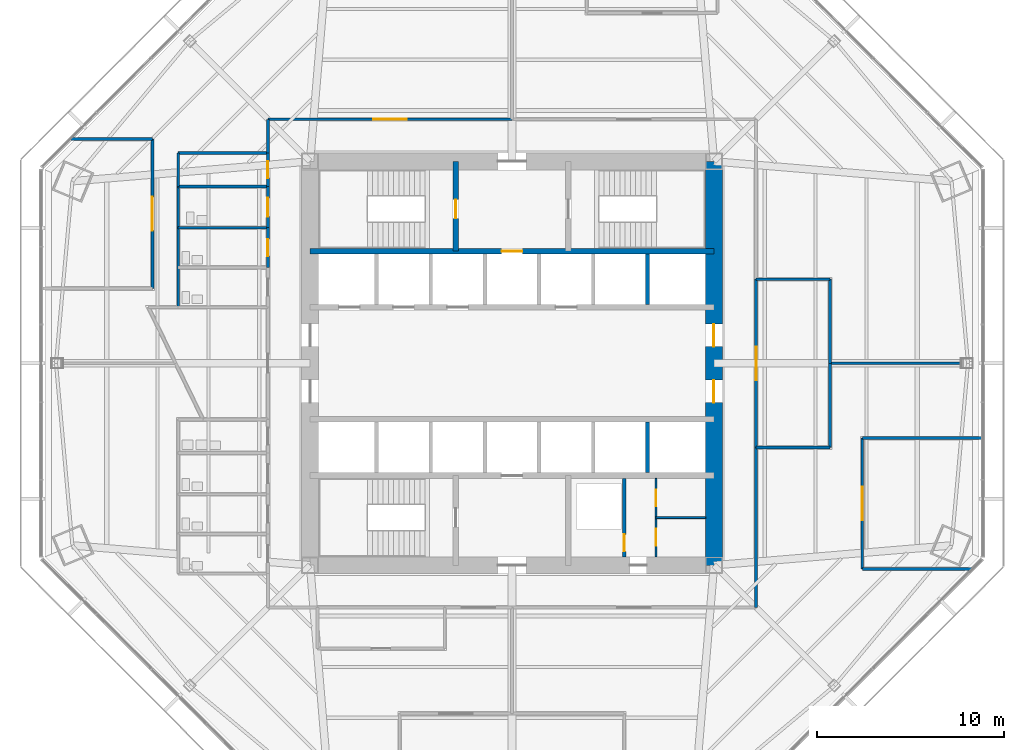
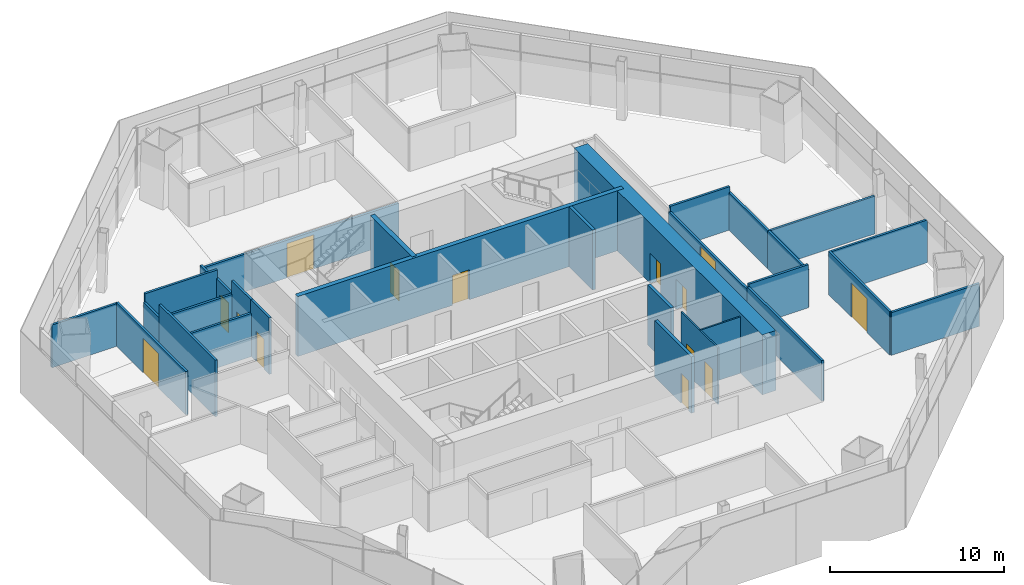
# One storey, part 11 of 16: 30 walls, 14 doors, 14 openings.
"""IFC4 building model written with IfcOpenShell, lengths in metres."""

from ifc_helpers import new_model, si_unit, direction, frame, frame_2d, origin, place, context, subcontext, project, spatial, rectangle, extrude, material, layer, layer_set, type_object, element, fill, save


model = new_model("IFC4")

# Units and contexts
model_context = context("Model", 3, precision=1e-05, world=origin(), true_north=direction((0.0, 1.0)))
body_context = subcontext(model_context, "Body", "Model", "MODEL_VIEW")
ifc_project = project(units=[si_unit("LENGTHUNIT", "METRE"), si_unit("AREAUNIT", "SQUARE_METRE"), si_unit("VOLUMEUNIT", "CUBIC_METRE"), si_unit("PLANEANGLEUNIT", "RADIAN"), si_unit("MASSUNIT", "GRAM", prefix="KILO")], contexts=[model_context])

# Site, building, storey
site_placement = place(None, origin())
site = spatial("IfcSite", under=ifc_project, at=site_placement, CompositionType="ELEMENT")
building_placement = place(site_placement, origin())
building = spatial("IfcBuilding", under=site, at=building_placement, Name="Mashrafa Tower", CompositionType="ELEMENT")
storey_placement = place(building_placement, frame((0.0, 0.0, 100.199951171875)))
storey = spatial("IfcBuildingStorey", under=building, at=storey_placement, Name="L22", CompositionType="ELEMENT", Elevation=100.199951171875)

# Wall, opening, door
ifc_material_1 = material(Name="Concrete masonry unit", Category="masonry")
ifc_layer_1 = layer(ifc_material_1, 0.199951171875)
ifc_layer_set_1 = layer_set([ifc_layer_1], Name="Blockwork wall 200 2 hr")
wall_type_1 = type_object("IfcWallType", Name="Blockwork wall 200 2 hr", PredefinedType="PARTITIONING", material=ifc_layer_set_1)
wall_1_placement = place(storey_placement, frame((6.0, -10.35009765625, 0.0), z_axis=(0.0, 0.0, 1.0), x_axis=(0.0, 1.0, 0.0)))
wall_1 = element("IfcWall", 1, at=wall_1_placement, inside=storey, type_object=wall_type_1, Name="Riser enclosure wall L22", PredefinedType="PARTITIONING", context=body_context, shape_type="SweptSolid", body=[
    extrude(rectangle(XDim=4.2001953125, YDim=0.199951171875, at=frame_2d((2.10009765625, 0.0))), origin(), (0.0, 0.0, 1.0), 3.949951171875),
])
opening_1_placement = place(wall_1_placement, frame((0.300048828125, 0.0, 0.0)))
opening_1 = element("IfcOpeningElement", 2, at=opening_1_placement, cuts=wall_1, Name="Opening 22.033", PredefinedType="OPENING", context=body_context, shape_type="SweptSolid", body=[
    extrude(rectangle(XDim=0.89990234375, YDim=2.10009765625, at=frame_2d((0.449951171875, 1.050048828125))), frame((0.0, 0.10986328125, 0.0), z_axis=(0.0, -1.0, 0.0), x_axis=(1.0, 0.0, 0.0)), (0.0, 0.0, 1.0), 0.219970703125),
])
ifc_material_2 = material(Name="Steel door", Category="steel")
door_type_1 = type_object("IfcDoorType", Name="Service door 900 x 2100 90 min", OperationType="USERDEFINED", PredefinedType="DOOR", material=ifc_material_2)
door_1_placement = place(opening_1_placement, origin())
door_1 = element("IfcDoor", 3, at=door_1_placement, inside=storey, type_object=door_type_1, Name="Riser door L22", OperationType="SINGLE_SWING_LEFT", OverallHeight=2.10009765625, OverallWidth=0.89990234375, PredefinedType="DOOR", context=body_context, shape_type="SweptSolid", body=[
    extrude(rectangle(XDim=0.89990234375, YDim=2.10009765625, at=frame_2d((0.449951171875, 1.050048828125))), frame((0.0, 0.02490234375, 0.0), z_axis=(0.0, -1.0, 0.0), x_axis=(1.0, 0.0, 0.0)), (0.0, 0.0, 1.0), 0.050048828125),
])
fill(opening_1, door_1)

ifc_material_3 = material(Name="Concrete C60/75", Category="concrete")
ifc_layer_2 = layer(ifc_material_3, 0.300048828125)
ifc_layer_set_2 = layer_set([ifc_layer_2], Name="Core wall 300 C60/75")
wall_type_2 = type_object("IfcWallType", Name="Core wall 300 C60/75", PredefinedType="SOLIDWALL", material=ifc_layer_set_2)
wall_2_placement = place(storey_placement, frame((-10.800048828125, 6.0, 0.0), z_axis=(0.0, 0.0, 1.0), x_axis=(1.0, 0.0, 0.0)))
wall_2 = element("IfcWall", 4, at=wall_2_placement, inside=storey, type_object=wall_type_2, Name="Core wall CB-N L22", PredefinedType="SOLIDWALL", context=body_context, shape_type="SweptSolid", body=[
    extrude(rectangle(XDim=21.60009765625, YDim=0.300048828125, at=frame_2d((10.800048828125, 0.0))), origin(), (0.0, 0.0, 1.0), 4.199951171875),
])
opening_2_placement = place(wall_2_placement, frame((10.25, 0.0, 0.0)))
opening_2 = element("IfcOpeningElement", 5, at=opening_2_placement, cuts=wall_2, Name="Opening 22.F1", PredefinedType="OPENING", context=body_context, shape_type="SweptSolid", body=[
    extrude(rectangle(XDim=1.10009765625, YDim=2.10009765625, at=frame_2d((0.550048828125, 1.050048828125))), frame((0.0, 0.159912109375, 0.0), z_axis=(0.0, -1.0, 0.0), x_axis=(1.0, 0.0, 0.0)), (0.0, 0.0, 1.0), 0.320068359375),
])
ifc_material_4 = material(Name="Steel door", Category="steel")
door_type_2 = type_object("IfcDoorType", Name="Lift landing door 1100 x 2100 90 min", OperationType="DOUBLE_DOOR_SLIDING", PredefinedType="DOOR", material=ifc_material_4)
door_2_placement = place(opening_2_placement, origin())
door_2 = element("IfcDoor", 6, at=door_2_placement, inside=storey, type_object=door_type_2, Name="Lift landing door F1 L22", OperationType="DOUBLE_DOOR_SLIDING", OverallHeight=2.10009765625, OverallWidth=1.10009765625, PredefinedType="DOOR", context=body_context, shape_type="SweptSolid", body=[
    extrude(rectangle(XDim=1.10009765625, YDim=2.10009765625, at=frame_2d((0.550048828125, 1.050048828125))), frame((0.0, 0.02490234375, 0.0), z_axis=(0.0, -1.0, 0.0), x_axis=(1.0, 0.0, 0.0)), (0.0, 0.0, 1.0), 0.050048828125),
])
fill(opening_2, door_2)

wall_3_placement = place(storey_placement, frame((-3.0, 6.0, 0.0), z_axis=(0.0, 0.0, 1.0), x_axis=(0.0, 1.0, 0.0)))
wall_3 = element("IfcWall", 7, at=wall_3_placement, inside=storey, type_object=wall_type_2, Name="Core wall CX-NW L22", PredefinedType="SOLIDWALL", context=body_context, shape_type="SweptSolid", body=[
    extrude(rectangle(XDim=4.800048828125, YDim=0.300048828125, at=frame_2d((2.39990234375, 0.0))), origin(), (0.0, 0.0, 1.0), 4.199951171875),
])
opening_3_placement = place(wall_3_placement, frame((1.75, 0.0, 0.0)))
opening_3 = element("IfcOpeningElement", 8, at=opening_3_placement, cuts=wall_3, Name="Opening 22.029", PredefinedType="OPENING", context=body_context, shape_type="SweptSolid", body=[
    extrude(rectangle(XDim=1.0, YDim=2.10009765625, at=frame_2d((0.5, 1.050048828125))), frame((0.0, 0.159912109375, 0.0), z_axis=(0.0, -1.0, 0.0), x_axis=(1.0, 0.0, 0.0)), (0.0, 0.0, 1.0), 0.320068359375),
])
ifc_material_5 = material(Name="Steel door", Category="steel")
door_type_3 = type_object("IfcDoorType", Name="Stair door 1000 x 2100 90 min", OperationType="USERDEFINED", PredefinedType="DOOR", material=ifc_material_5)
door_3_placement = place(opening_3_placement, origin())
door_3 = element("IfcDoor", 9, at=door_3_placement, inside=storey, type_object=door_type_3, Name="Stair S1 door L22", OperationType="SINGLE_SWING_LEFT", OverallHeight=2.10009765625, OverallWidth=1.0, PredefinedType="DOOR", context=body_context, shape_type="SweptSolid", body=[
    extrude(rectangle(XDim=1.0, YDim=2.10009765625, at=frame_2d((0.5, 1.050048828125))), frame((0.0, 0.02490234375, 0.0), z_axis=(0.0, -1.0, 0.0), x_axis=(1.0, 0.0, 0.0)), (0.0, 0.0, 1.0), 0.050048828125),
])
fill(opening_3, door_3)

# Wall, openings, doors
ifc_material_6 = material(Name="Concrete C60/75", Category="concrete")
ifc_layer_3 = layer(ifc_material_6, 0.89990234375)
ifc_layer_set_3 = layer_set([ifc_layer_3], Name="Core wall 900 C60/75")
wall_type_3 = type_object("IfcWallType", Name="Core wall 900 C60/75", PredefinedType="SOLIDWALL", material=ifc_layer_set_3)
wall_4_placement = place(storey_placement, frame((10.800048828125, -10.800048828125, 0.0), z_axis=(0.0, 0.0, 1.0), x_axis=(0.0, 1.0, 0.0)))
wall_4 = element("IfcWall", 10, at=wall_4_placement, inside=storey, type_object=wall_type_3, Name="Core wall CW-E L22", PredefinedType="SOLIDWALL", context=body_context, shape_type="SweptSolid", body=[
    extrude(rectangle(XDim=21.60009765625, YDim=0.89990234375, at=frame_2d((10.800048828125, 0.0))), origin(), (0.0, 0.0, 1.0), 4.199951171875),
])
opening_4_placement = place(wall_4_placement, frame((11.699951171875, 0.0, 0.0)))
opening_4 = element("IfcOpeningElement", 11, at=opening_4_placement, cuts=wall_4, Name="Opening 22.023", PredefinedType="OPENING", context=body_context, shape_type="SweptSolid", body=[
    extrude(rectangle(XDim=1.199951171875, YDim=2.10009765625, at=frame_2d((0.60009765625, 1.050048828125))), frame((0.0, 0.4599609375, 0.0), z_axis=(0.0, -1.0, 0.0), x_axis=(1.0, 0.0, 0.0)), (0.0, 0.0, 1.0), 0.919921875),
])
opening_5_placement = place(wall_4_placement, frame((8.699951171875, 0.0, 0.0)))
opening_5 = element("IfcOpeningElement", 12, at=opening_5_placement, cuts=wall_4, Name="Opening 22.025", PredefinedType="OPENING", context=body_context, shape_type="SweptSolid", body=[
    extrude(rectangle(XDim=1.199951171875, YDim=2.10009765625, at=frame_2d((0.60009765625, 1.050048828125))), frame((0.0, 0.4599609375, 0.0), z_axis=(0.0, -1.0, 0.0), x_axis=(1.0, 0.0, 0.0)), (0.0, 0.0, 1.0), 0.919921875),
])
ifc_material_7 = material(Name="Steel door", Category="steel")
door_type_4 = type_object("IfcDoorType", Name="Lift hall door 1200 x 2100 90 min", OperationType="USERDEFINED", PredefinedType="DOOR", material=ifc_material_7)
door_4_placement = place(opening_4_placement, frame((1.199951171875, 0.0, 0.0), z_axis=(0.0, 0.0, 1.0), x_axis=(-1.0, 0.0, 0.0)))
door_4 = element("IfcDoor", 13, at=door_4_placement, inside=storey, type_object=door_type_4, Name="Lift hall door east L22", OperationType="SINGLE_SWING_LEFT", OverallHeight=2.10009765625, OverallWidth=1.199951171875, PredefinedType="DOOR", context=body_context, shape_type="SweptSolid", body=[
    extrude(rectangle(XDim=1.199951171875, YDim=2.10009765625, at=frame_2d((0.60009765625, 1.050048828125))), frame((0.0, 0.02490234375, 0.0), z_axis=(0.0, -1.0, 0.0), x_axis=(1.0, 0.0, 0.0)), (0.0, 0.0, 1.0), 0.050048828125),
])
fill(opening_4, door_4)
door_5_placement = place(opening_5_placement, frame((1.199951171875, 0.0, 0.0), z_axis=(0.0, 0.0, 1.0), x_axis=(-1.0, 0.0, 0.0)))
door_5 = element("IfcDoor", 14, at=door_5_placement, inside=storey, type_object=door_type_4, Name="Lift hall door east L22", OperationType="SINGLE_SWING_RIGHT", OverallHeight=2.10009765625, OverallWidth=1.199951171875, PredefinedType="DOOR", context=body_context, shape_type="SweptSolid", body=[
    extrude(rectangle(XDim=1.199951171875, YDim=2.10009765625, at=frame_2d((0.60009765625, 1.050048828125))), frame((0.0, 0.02490234375, 0.0), z_axis=(0.0, -1.0, 0.0), x_axis=(1.0, 0.0, 0.0)), (0.0, 0.0, 1.0), 0.050048828125),
])
fill(opening_5, door_5)

# Wall, opening, door
ifc_material_8 = material(Name="Gypsum board on steel studs", Category="steel")
ifc_layer_4 = layer(ifc_material_8, 0.14990234375)
ifc_layer_set_4 = layer_set([ifc_layer_4], Name="Corridor partition 150 1 hr")
wall_type_4 = type_object("IfcWallType", Name="Corridor partition 150 1 hr", PredefinedType="PARTITIONING", material=ifc_layer_set_4)
wall_5_placement = place(storey_placement, frame((-13.050048828125, 7.2509765625, 0.0), z_axis=(0.0, 0.0, 1.0), x_axis=(0.0, -1.0, 0.0)))
wall_5 = element("IfcWall", 15, at=wall_5_placement, inside=storey, type_object=wall_type_4, Name="Corridor wall L22-002", PredefinedType="PARTITIONING", context=body_context, shape_type="SweptSolid", body=[
    extrude(rectangle(XDim=2.126953125, YDim=0.14990234375, at=frame_2d((1.0634765625, 0.0))), origin(), (0.0, 0.0, 1.0), 3.949951171875),
])
opening_6_placement = place(wall_5_placement, frame((0.613525390625, 0.0, 0.0)))
opening_6 = element("IfcOpeningElement", 16, at=opening_6_placement, cuts=wall_5, Name="Opening 22.002", PredefinedType="OPENING", context=body_context, shape_type="SweptSolid", body=[
    extrude(rectangle(XDim=0.89990234375, YDim=2.10009765625, at=frame_2d((0.449951171875, 1.050048828125))), frame((0.0, 0.0849609375, 0.0), z_axis=(0.0, -1.0, 0.0), x_axis=(1.0, 0.0, 0.0)), (0.0, 0.0, 1.0), 0.169921875),
])
ifc_material_9 = material(Name="Timber door", Category="wood")
door_type_5 = type_object("IfcDoorType", Name="Toilet door 900 x 2100", OperationType="USERDEFINED", PredefinedType="DOOR", material=ifc_material_9)
door_6_placement = place(opening_6_placement, frame((0.89990234375, 0.0, 0.0), z_axis=(0.0, 0.0, 1.0), x_axis=(-1.0, 0.0, 0.0)))
door_6 = element("IfcDoor", 17, at=door_6_placement, inside=storey, type_object=door_type_5, Name="WC Male L22 N door", OperationType="SINGLE_SWING_LEFT", OverallHeight=2.10009765625, OverallWidth=0.89990234375, PredefinedType="DOOR", context=body_context, shape_type="SweptSolid", body=[
    extrude(rectangle(XDim=0.89990234375, YDim=2.10009765625, at=frame_2d((0.449951171875, 1.050048828125))), frame((0.0, 0.02490234375, 0.0), z_axis=(0.0, -1.0, 0.0), x_axis=(1.0, 0.0, 0.0)), (0.0, 0.0, 1.0), 0.050048828125),
])
fill(opening_6, door_6)

wall_6_placement = place(storey_placement, frame((-13.050048828125, 9.450927734375, 0.0), z_axis=(0.0, 0.0, 1.0), x_axis=(0.0, -1.0, 0.0)))
wall_6 = element("IfcWall", 18, at=wall_6_placement, inside=storey, type_object=wall_type_4, Name="Corridor wall L22-003", PredefinedType="PARTITIONING", context=body_context, shape_type="SweptSolid", body=[
    extrude(rectangle(XDim=2.201904296875, YDim=0.14990234375, at=frame_2d((1.10107421875, 0.0))), origin(), (0.0, 0.0, 1.0), 3.949951171875),
])
opening_7_placement = place(wall_6_placement, frame((0.60107421875, 0.0, 0.0)))
opening_7 = element("IfcOpeningElement", 19, at=opening_7_placement, cuts=wall_6, Name="Opening 22.003", PredefinedType="OPENING", context=body_context, shape_type="SweptSolid", body=[
    extrude(rectangle(XDim=1.0, YDim=2.10009765625, at=frame_2d((0.5, 1.050048828125))), frame((0.0, 0.0849609375, 0.0), z_axis=(0.0, -1.0, 0.0), x_axis=(1.0, 0.0, 0.0)), (0.0, 0.0, 1.0), 0.169921875),
])
ifc_material_10 = material(Name="Timber door", Category="wood")
door_type_6 = type_object("IfcDoorType", Name="Accessible toilet door 1000 x 2100", OperationType="USERDEFINED", PredefinedType="DOOR", material=ifc_material_10)
door_7_placement = place(opening_7_placement, frame((1.0, 0.0, 0.0), z_axis=(0.0, 0.0, 1.0), x_axis=(-1.0, 0.0, 0.0)))
door_7 = element("IfcDoor", 20, at=door_7_placement, inside=storey, type_object=door_type_6, Name="Accessible WC L22 N door", OperationType="SINGLE_SWING_RIGHT", OverallHeight=2.10009765625, OverallWidth=1.0, PredefinedType="DOOR", context=body_context, shape_type="SweptSolid", body=[
    extrude(rectangle(XDim=1.0, YDim=2.10009765625, at=frame_2d((0.5, 1.050048828125))), frame((0.0, 0.02490234375, 0.0), z_axis=(0.0, -1.0, 0.0), x_axis=(1.0, 0.0, 0.0)), (0.0, 0.0, 1.0), 0.050048828125),
])
fill(opening_7, door_7)

wall_7_placement = place(storey_placement, frame((-13.050048828125, 11.2509765625, 0.0), z_axis=(0.0, 0.0, 1.0), x_axis=(0.0, -1.0, 0.0)))
wall_7 = element("IfcWall", 21, at=wall_7_placement, inside=storey, type_object=wall_type_4, Name="Corridor wall L22-004", PredefinedType="PARTITIONING", context=body_context, shape_type="SweptSolid", body=[
    extrude(rectangle(XDim=1.802001953125, YDim=0.14990234375, at=frame_2d((0.90087890625, 0.0))), origin(), (0.0, 0.0, 1.0), 3.0400390625),
])
opening_8_placement = place(wall_7_placement, frame((0.450927734375, 0.0, 0.0)))
opening_8 = element("IfcOpeningElement", 22, at=opening_8_placement, cuts=wall_7, Name="Opening 22.004", PredefinedType="OPENING", context=body_context, shape_type="SweptSolid", body=[
    extrude(rectangle(XDim=0.89990234375, YDim=2.10009765625, at=frame_2d((0.449951171875, 1.050048828125))), frame((0.0, 0.0849609375, 0.0), z_axis=(0.0, -1.0, 0.0), x_axis=(1.0, 0.0, 0.0)), (0.0, 0.0, 1.0), 0.169921875),
])
ifc_material_11 = material(Name="Timber door", Category="wood")
door_type_7 = type_object("IfcDoorType", Name="Store door 900 x 2100", OperationType="USERDEFINED", PredefinedType="DOOR", material=ifc_material_11)
door_8_placement = place(opening_8_placement, frame((0.89990234375, 0.0, 0.0), z_axis=(0.0, 0.0, 1.0), x_axis=(-1.0, 0.0, 0.0)))
door_8 = element("IfcDoor", 23, at=door_8_placement, inside=storey, type_object=door_type_7, Name="Cleaner's Store L22 N door", OperationType="SINGLE_SWING_LEFT", OverallHeight=2.10009765625, OverallWidth=0.89990234375, PredefinedType="DOOR", context=body_context, shape_type="SweptSolid", body=[
    extrude(rectangle(XDim=0.89990234375, YDim=2.10009765625, at=frame_2d((0.449951171875, 1.050048828125))), frame((0.0, 0.02490234375, 0.0), z_axis=(0.0, -1.0, 0.0), x_axis=(1.0, 0.0, 0.0)), (0.0, 0.0, 1.0), 0.050048828125),
])
fill(opening_8, door_8)

wall_8_placement = place(storey_placement, frame((13.050048828125, -4.5009765625, 0.0), z_axis=(0.0, 0.0, 1.0), x_axis=(0.0, 1.0, 0.0)))
wall_8 = element("IfcWall", 24, at=wall_8_placement, inside=storey, type_object=wall_type_4, Name="Corridor wall L22-010", PredefinedType="PARTITIONING", context=body_context, shape_type="SweptSolid", body=[
    extrude(rectangle(XDim=9.001953125, YDim=0.14990234375, at=frame_2d((4.5009765625, 0.0))), origin(), (0.0, 0.0, 1.0), 2.64013671875),
])
opening_9_placement = place(wall_8_placement, frame((3.60107421875, 0.0, 0.0)))
opening_9 = element("IfcOpeningElement", 25, at=opening_9_placement, cuts=wall_8, Name="Opening 22.010", PredefinedType="OPENING", context=body_context, shape_type="SweptSolid", body=[
    extrude(rectangle(XDim=1.800048828125, YDim=2.39990234375, at=frame_2d((0.89990234375, 1.199951171875))), frame((0.0, 0.0849609375, 0.0), z_axis=(0.0, -1.0, 0.0), x_axis=(1.0, 0.0, 0.0)), (0.0, 0.0, 1.0), 0.169921875),
])
ifc_material_12 = material(Name="Steel door", Category="steel")
door_type_8 = type_object("IfcDoorType", Name="Door pair 1800 x 2400 90 min", OperationType="DOUBLE_DOOR_SINGLE_SWING", PredefinedType="DOOR", material=ifc_material_12)
door_9_placement = place(opening_9_placement, origin())
door_9 = element("IfcDoor", 26, at=door_9_placement, inside=storey, type_object=door_type_8, Name="Executive Reception 22 door", OperationType="DOUBLE_DOOR_SINGLE_SWING", OverallHeight=2.39990234375, OverallWidth=1.800048828125, PredefinedType="DOOR", context=body_context, shape_type="SweptSolid", body=[
    extrude(rectangle(XDim=1.800048828125, YDim=2.39990234375, at=frame_2d((0.89990234375, 1.199951171875))), frame((0.0, 0.02490234375, 0.0), z_axis=(0.0, -1.0, 0.0), x_axis=(1.0, 0.0, 0.0)), (0.0, 0.0, 1.0), 0.050048828125),
])
fill(opening_9, door_9)

wall_9_placement = place(storey_placement, frame((0.0009765625, 13.050048828125, 0.0), z_axis=(0.0, 0.0, 1.0), x_axis=(-1.0, 0.0, 0.0)))
wall_9 = element("IfcWall", 27, at=wall_9_placement, inside=storey, type_object=wall_type_4, Name="Corridor wall L22-014", PredefinedType="PARTITIONING", context=body_context, shape_type="SweptSolid", body=[
    extrude(rectangle(XDim=13.051025390625, YDim=0.14990234375, at=frame_2d((6.525390625, 0.0))), origin(), (0.0, 0.0, 1.0), 2.64013671875),
])
opening_10_placement = place(wall_9_placement, frame((5.62548828125, 0.0, 0.0)))
opening_10 = element("IfcOpeningElement", 28, at=opening_10_placement, cuts=wall_9, Name="Opening 22.020", PredefinedType="OPENING", context=body_context, shape_type="SweptSolid", body=[
    extrude(rectangle(XDim=1.800048828125, YDim=2.39990234375, at=frame_2d((0.89990234375, 1.199951171875))), frame((0.0, 0.0849609375, 0.0), z_axis=(0.0, -1.0, 0.0), x_axis=(1.0, 0.0, 0.0)), (0.0, 0.0, 1.0), 0.169921875),
])
ifc_material_13 = material(Name="Timber door", Category="wood")
door_type_9 = type_object("IfcDoorType", Name="Door pair 1800 x 2400", OperationType="DOUBLE_DOOR_SINGLE_SWING", PredefinedType="DOOR", material=ifc_material_13)
door_10_placement = place(opening_10_placement, frame((1.800048828125, 0.0, 0.0), z_axis=(0.0, 0.0, 1.0), x_axis=(-1.0, 0.0, 0.0)))
door_10 = element("IfcDoor", 29, at=door_10_placement, inside=storey, type_object=door_type_9, Name="Strategy and Planning Office 22-NW door", OperationType="DOUBLE_DOOR_SINGLE_SWING", OverallHeight=2.39990234375, OverallWidth=1.800048828125, PredefinedType="DOOR", context=body_context, shape_type="SweptSolid", body=[
    extrude(rectangle(XDim=1.800048828125, YDim=2.39990234375, at=frame_2d((0.89990234375, 1.199951171875))), frame((0.0, 0.02490234375, 0.0), z_axis=(0.0, -1.0, 0.0), x_axis=(1.0, 0.0, 0.0)), (0.0, 0.0, 1.0), 0.050048828125),
])
fill(opening_10, door_10)

# Walls
wall_10_placement = place(storey_placement, frame((-13.050048828125, 13.050048828125, 0.0), z_axis=(0.0, 0.0, 1.0), x_axis=(0.0, -1.0, 0.0)))
element("IfcWall", 30, at=wall_10_placement, inside=storey, type_object=wall_type_4, Name="Corridor wall L22-015", PredefinedType="PARTITIONING", context=body_context, shape_type="SweptSolid", body=[
    extrude(rectangle(XDim=1.801025390625, YDim=0.14990234375, at=frame_2d((0.900390625, 0.0))), origin(), (0.0, 0.0, 1.0), 2.840087890625),
])
wall_11_placement = place(storey_placement, frame((13.050048828125, -13.050048828125, 0.0), z_axis=(0.0, 0.0, 1.0), x_axis=(0.0, 1.0, 0.0)))
element("IfcWall", 31, at=wall_11_placement, inside=storey, type_object=wall_type_4, Name="Corridor wall L22-020", PredefinedType="PARTITIONING", context=body_context, shape_type="SweptSolid", body=[
    extrude(rectangle(XDim=8.551025390625, YDim=0.14990234375, at=frame_2d((4.275390625, 0.0))), origin(), (0.0, 0.0, 1.0), 2.840087890625),
])
wall_12_placement = place(storey_placement, frame((17.0, -0.0009765625, 0.0), z_axis=(0.0, 0.0, 1.0), x_axis=(0.0, 1.0, 0.0)))
element("IfcWall", 32, at=wall_12_placement, inside=storey, type_object=wall_type_4, Name="Corridor wall L22-043", PredefinedType="PARTITIONING", context=body_context, shape_type="SweptSolid", body=[
    extrude(rectangle(XDim=4.5009765625, YDim=0.14990234375, at=frame_2d((2.25048828125, 0.0))), origin(), (0.0, 0.0, 1.0), 2.64013671875),
])
for number, where, z_axis, x_axis, name in (
    (33, (17.0, 4.5, 0.0), (0.0, 0.0, 1.0), (-1.0, 0.0, 0.0), "Corridor wall L22-044"),
    (34, (13.050048828125, -4.5, 0.0), (0.0, 0.0, 1.0), (1.0, 0.0, 0.0), "Corridor wall L22-045"),
):
    element("IfcWall", number, at=place(storey_placement, frame(where, z_axis=z_axis, x_axis=x_axis)), inside=storey, type_object=wall_type_4, Name=name, PredefinedType="PARTITIONING", context=body_context, shape_type="SweptSolid", body=[
        extrude(rectangle(XDim=3.949951171875, YDim=0.14990234375, at=frame_2d((1.97509765625, 0.0))), origin(), (0.0, 0.0, 1.0), 3.028076171875),
    ])
wall_13_placement = place(storey_placement, frame((17.0, -4.5, 0.0), z_axis=(0.0, 0.0, 1.0), x_axis=(0.0, 1.0, 0.0)))
element("IfcWall", 35, at=wall_13_placement, inside=storey, type_object=wall_type_4, Name="Corridor wall L22-046", PredefinedType="PARTITIONING", context=body_context, shape_type="SweptSolid", body=[
    extrude(rectangle(XDim=4.5009765625, YDim=0.14990234375, at=frame_2d((2.25048828125, 0.0))), origin(), (0.0, 0.0, 1.0), 2.64013671875),
])

# Wall, openings, doors
ifc_material_14 = material(Name="Gypsum board on steel studs", Category="steel")
ifc_layer_5 = layer(ifc_material_14, 0.10009765625)
ifc_layer_set_5 = layer_set([ifc_layer_5], Name="Partition 100 1 hr")
wall_type_5 = type_object("IfcWallType", Name="Partition 100 1 hr", PredefinedType="PARTITIONING", material=ifc_layer_set_5)
wall_14_placement = place(storey_placement, frame((7.699951171875, -10.35009765625, 0.0), z_axis=(0.0, 0.0, 1.0), x_axis=(0.0, 1.0, 0.0)))
wall_14 = element("IfcWall", 36, at=wall_14_placement, inside=storey, type_object=wall_type_5, Name="Services lobby partition A L22", PredefinedType="PARTITIONING", context=body_context, shape_type="SweptSolid", body=[
    extrude(rectangle(XDim=4.2001953125, YDim=0.10009765625, at=frame_2d((2.10009765625, 0.0))), origin(), (0.0, 0.0, 1.0), 3.949951171875),
])
opening_11_placement = place(wall_14_placement, frame((2.699951171875, 0.0, 0.0)))
opening_11 = element("IfcOpeningElement", 37, at=opening_11_placement, cuts=wall_14, Name="Opening 22.034", PredefinedType="OPENING", context=body_context, shape_type="SweptSolid", body=[
    extrude(rectangle(XDim=0.89990234375, YDim=2.10009765625, at=frame_2d((0.449951171875, 1.050048828125))), frame((0.0, 0.06005859375, 0.0), z_axis=(0.0, -1.0, 0.0), x_axis=(1.0, 0.0, 0.0)), (0.0, 0.0, 1.0), 0.1201171875),
])
opening_12_placement = place(wall_14_placement, frame((0.60009765625, 0.0, 0.0)))
opening_12 = element("IfcOpeningElement", 38, at=opening_12_placement, cuts=wall_14, Name="Opening 22.035", PredefinedType="OPENING", context=body_context, shape_type="SweptSolid", body=[
    extrude(rectangle(XDim=0.89990234375, YDim=2.10009765625, at=frame_2d((0.449951171875, 1.050048828125))), frame((0.0, 0.06005859375, 0.0), z_axis=(0.0, -1.0, 0.0), x_axis=(1.0, 0.0, 0.0)), (0.0, 0.0, 1.0), 0.1201171875),
])
door_11_placement = place(opening_11_placement, frame((0.89990234375, 0.0, 0.0), z_axis=(0.0, 0.0, 1.0), x_axis=(-1.0, 0.0, 0.0)))
door_11 = element("IfcDoor", 39, at=door_11_placement, inside=storey, type_object=door_type_7, Name="Communications Room L22 door", OperationType="SINGLE_SWING_RIGHT", OverallHeight=2.10009765625, OverallWidth=0.89990234375, PredefinedType="DOOR", context=body_context, shape_type="SweptSolid", body=[
    extrude(rectangle(XDim=0.89990234375, YDim=2.10009765625, at=frame_2d((0.449951171875, 1.050048828125))), frame((0.0, 0.02490234375, 0.0), z_axis=(0.0, -1.0, 0.0), x_axis=(1.0, 0.0, 0.0)), (0.0, 0.0, 1.0), 0.050048828125),
])
fill(opening_11, door_11)
door_12_placement = place(opening_12_placement, frame((0.89990234375, 0.0, 0.0), z_axis=(0.0, 0.0, 1.0), x_axis=(-1.0, 0.0, 0.0)))
door_12 = element("IfcDoor", 40, at=door_12_placement, inside=storey, type_object=door_type_7, Name="Cleaner's Store L22 door", OperationType="SINGLE_SWING_LEFT", OverallHeight=2.10009765625, OverallWidth=0.89990234375, PredefinedType="DOOR", context=body_context, shape_type="SweptSolid", body=[
    extrude(rectangle(XDim=0.89990234375, YDim=2.10009765625, at=frame_2d((0.449951171875, 1.050048828125))), frame((0.0, 0.02490234375, 0.0), z_axis=(0.0, -1.0, 0.0), x_axis=(1.0, 0.0, 0.0)), (0.0, 0.0, 1.0), 0.050048828125),
])
fill(opening_12, door_12)

# Walls
wall_15_placement = place(storey_placement, frame((7.699951171875, -8.25, 0.0), z_axis=(0.0, 0.0, 1.0), x_axis=(1.0, 0.0, 0.0)))
element("IfcWall", 41, at=wall_15_placement, inside=storey, type_object=wall_type_5, Name="Services lobby partition B L22", PredefinedType="PARTITIONING", context=body_context, shape_type="SweptSolid", body=[
    extrude(rectangle(XDim=2.650146484375, YDim=0.10009765625, at=frame_2d((1.3251953125, 0.0))), origin(), (0.0, 0.0, 1.0), 3.949951171875),
])
ifc_material_15 = material(Name="Gypsum board on steel studs", Category="steel")
ifc_layer_6 = layer(ifc_material_15, 0.14990234375)
ifc_layer_set_6 = layer_set([ifc_layer_6], Name="Partition 150")
wall_type_6 = type_object("IfcWallType", Name="Partition 150", PredefinedType="PARTITIONING", material=ifc_layer_set_6)
wall_16_placement = place(storey_placement, frame((-17.85009765625, 3.0, 0.0), z_axis=(0.0, 0.0, 1.0), x_axis=(0.0, 1.0, 0.0)))
element("IfcWall", 42, at=wall_16_placement, inside=storey, type_object=wall_type_6, Name="Partition wall L22-023", PredefinedType="PARTITIONING", context=body_context, shape_type="SweptSolid", body=[
    extrude(rectangle(XDim=6.449951171875, YDim=0.14990234375, at=frame_2d((3.22509765625, 0.0))), origin(), (0.0, 0.0, 1.0), 3.949951171875),
])
for number, where, z_axis, x_axis, name in (
    (43, (-13.050048828125, 7.25, 0.0), (0.0, 0.0, 1.0), (-1.0, 0.0, 0.0), "Partition wall L22-024"),
    (44, (-13.050048828125, 9.449951171875, 0.0), (0.0, 0.0, 1.0), (-1.0, 0.0, 0.0), "Partition wall L22-026"),
):
    element("IfcWall", number, at=place(storey_placement, frame(where, z_axis=z_axis, x_axis=x_axis)), inside=storey, type_object=wall_type_6, Name=name, PredefinedType="PARTITIONING", context=body_context, shape_type="SweptSolid", body=[
        extrude(rectangle(XDim=4.800048828125, YDim=0.14990234375, at=frame_2d((2.39990234375, 0.0))), origin(), (0.0, 0.0, 1.0), 3.028076171875),
    ])
wall_17_placement = place(storey_placement, frame((-13.050048828125, 11.25, 0.0), z_axis=(0.0, 0.0, 1.0), x_axis=(-1.0, 0.0, 0.0)))
element("IfcWall", 45, at=wall_17_placement, inside=storey, type_object=wall_type_6, Name="Partition wall L22-028", PredefinedType="PARTITIONING", context=body_context, shape_type="SweptSolid", body=[
    extrude(rectangle(XDim=4.800048828125, YDim=0.14990234375, at=frame_2d((2.39990234375, 0.0))), origin(), (0.0, 0.0, 1.0), 3.630126953125),
])
wall_18_placement = place(storey_placement, frame((-17.85009765625, 11.25, 0.0), z_axis=(0.0, 0.0, 1.0), x_axis=(0.0, -1.0, 0.0)))
element("IfcWall", 46, at=wall_18_placement, inside=storey, type_object=wall_type_6, Name="Partition wall L22-029", PredefinedType="PARTITIONING", context=body_context, shape_type="SweptSolid", body=[
    extrude(rectangle(XDim=1.800048828125, YDim=0.14990234375, at=frame_2d((0.89990234375, 0.0))), origin(), (0.0, 0.0, 1.0), 3.0400390625),
])
wall_19_placement = place(storey_placement, frame((25.162109375, -4.0, 0.0), z_axis=(0.0, 0.0, 1.0), x_axis=(-1.0, 0.0, 0.0)))
element("IfcWall", 47, at=wall_19_placement, inside=storey, type_object=wall_type_6, Name="Partition wall L22-054", PredefinedType="PARTITIONING", context=body_context, shape_type="SweptSolid", body=[
    extrude(rectangle(XDim=6.431884765625, YDim=0.14990234375, at=frame_2d((3.2158203125, 0.0))), origin(), (0.0, 0.0, 1.0), 2.989990234375),
])

# Wall, opening, door
wall_20_placement = place(storey_placement, frame((18.730224609375, -4.0, 0.0), z_axis=(0.0, 0.0, 1.0), x_axis=(0.0, -1.0, 0.0)))
wall_20 = element("IfcWall", 48, at=wall_20_placement, inside=storey, type_object=wall_type_6, Name="Partition wall L22-055", PredefinedType="PARTITIONING", context=body_context, shape_type="SweptSolid", body=[
    extrude(rectangle(XDim=7.0, YDim=0.14990234375, at=frame_2d((3.5, 0.0))), origin(), (0.0, 0.0, 1.0), 3.0400390625),
])
opening_13_placement = place(wall_20_placement, frame((2.60009765625, 0.0, 0.0)))
opening_13 = element("IfcOpeningElement", 49, at=opening_13_placement, cuts=wall_20, Name="Opening 22.013", PredefinedType="OPENING", context=body_context, shape_type="SweptSolid", body=[
    extrude(rectangle(XDim=1.800048828125, YDim=2.39990234375, at=frame_2d((0.89990234375, 1.199951171875))), frame((0.0, 0.0849609375, 0.0), z_axis=(0.0, -1.0, 0.0), x_axis=(1.0, 0.0, 0.0)), (0.0, 0.0, 1.0), 0.169921875),
])
door_13_placement = place(opening_13_placement, origin())
door_13 = element("IfcDoor", 50, at=door_13_placement, inside=storey, type_object=door_type_9, Name="Guest Majlis 22 door", OperationType="DOUBLE_DOOR_SINGLE_SWING", OverallHeight=2.39990234375, OverallWidth=1.800048828125, PredefinedType="DOOR", context=body_context, shape_type="SweptSolid", body=[
    extrude(rectangle(XDim=1.800048828125, YDim=2.39990234375, at=frame_2d((0.89990234375, 1.199951171875))), frame((0.0, 0.02490234375, 0.0), z_axis=(0.0, -1.0, 0.0), x_axis=(1.0, 0.0, 0.0)), (0.0, 0.0, 1.0), 0.050048828125),
])
fill(opening_13, door_13)

# Wall
wall_21_placement = place(storey_placement, frame((18.730224609375, -11.0, 0.0), z_axis=(0.0, 0.0, 1.0), x_axis=(1.0, 0.0, 0.0)))
element("IfcWall", 51, at=wall_21_placement, inside=storey, type_object=wall_type_6, Name="Partition wall L22-056", PredefinedType="PARTITIONING", context=body_context, shape_type="SweptSolid", body=[
    extrude(rectangle(XDim=5.856201171875, YDim=0.14990234375, at=frame_2d((2.92822265625, 0.0))), origin(), (0.0, 0.0, 1.0), 2.989990234375),
])

# Wall, opening, door
wall_22_placement = place(storey_placement, frame((-19.230224609375, 4.0, 0.0), z_axis=(0.0, 0.0, 1.0), x_axis=(0.0, 1.0, 0.0)))
wall_22 = element("IfcWall", 52, at=wall_22_placement, inside=storey, type_object=wall_type_6, Name="Partition wall L22-058", PredefinedType="PARTITIONING", context=body_context, shape_type="SweptSolid", body=[
    extrude(rectangle(XDim=8.0, YDim=0.14990234375, at=frame_2d((4.0, 0.0))), origin(), (0.0, 0.0, 1.0), 3.0400390625),
])
opening_14_placement = place(wall_22_placement, frame((3.10009765625, 0.0, 0.0)))
opening_14 = element("IfcOpeningElement", 53, at=opening_14_placement, cuts=wall_22, Name="Opening 22.014", PredefinedType="OPENING", context=body_context, shape_type="SweptSolid", body=[
    extrude(rectangle(XDim=1.800048828125, YDim=2.39990234375, at=frame_2d((0.89990234375, 1.199951171875))), frame((0.0, 0.0849609375, 0.0), z_axis=(0.0, -1.0, 0.0), x_axis=(1.0, 0.0, 0.0)), (0.0, 0.0, 1.0), 0.169921875),
])
door_14_placement = place(opening_14_placement, origin())
door_14 = element("IfcDoor", 54, at=door_14_placement, inside=storey, type_object=door_type_9, Name="Executive Dining Room 22 door", OperationType="DOUBLE_DOOR_SINGLE_SWING", OverallHeight=2.39990234375, OverallWidth=1.800048828125, PredefinedType="DOOR", context=body_context, shape_type="SweptSolid", body=[
    extrude(rectangle(XDim=1.800048828125, YDim=2.39990234375, at=frame_2d((0.89990234375, 1.199951171875))), frame((0.0, 0.02490234375, 0.0), z_axis=(0.0, -1.0, 0.0), x_axis=(1.0, 0.0, 0.0)), (0.0, 0.0, 1.0), 0.050048828125),
])
fill(opening_14, door_14)

# Walls
wall_23_placement = place(storey_placement, frame((-19.230224609375, 12.0, 0.0), z_axis=(0.0, 0.0, 1.0), x_axis=(-1.0, 0.0, 0.0)))
element("IfcWall", 55, at=wall_23_placement, inside=storey, type_object=wall_type_6, Name="Partition wall L22-059", PredefinedType="PARTITIONING", context=body_context, shape_type="SweptSolid", body=[
    extrude(rectangle(XDim=4.356201171875, YDim=0.14990234375, at=frame_2d((2.17822265625, 0.0))), origin(), (0.0, 0.0, 1.0), 2.989990234375),
])
wall_24_placement = place(storey_placement, frame((17.0, 0.0, 0.0), z_axis=(0.0, 0.0, 1.0), x_axis=(1.0, 0.0, 0.0)))
element("IfcWall", 56, at=wall_24_placement, inside=storey, type_object=wall_type_6, Name="Partition wall L22-073", PredefinedType="PARTITIONING", context=body_context, shape_type="SweptSolid", body=[
    extrude(rectangle(XDim=6.9921875, YDim=0.14990234375, at=frame_2d((3.49609375, 0.0))), origin(), (0.0, 0.0, 1.0), 2.64013671875),
])
ifc_material_16 = material(Name="Gypsum shaft wall on steel studs", Category="steel")
ifc_layer_7 = layer(ifc_material_16, 0.199951171875)
ifc_layer_set_7 = layer_set([ifc_layer_7], Name="Shaft divider wall 200 2 hr")
wall_type_7 = type_object("IfcWallType", Name="Shaft divider wall 200 2 hr", PredefinedType="PARTITIONING", material=ifc_layer_set_7)
for number, where, z_axis, x_axis, name in (
    (57, (7.25, 3.14990234375, 0.0), (0.0, 0.0, 1.0), (0.0, 1.0, 0.0), "Shaft divider wall N6 L22"),
    (58, (7.25, -5.85009765625, 0.0), (0.0, 0.0, 1.0), (0.0, 1.0, 0.0), "Shaft divider wall S6 L22"),
):
    element("IfcWall", number, at=place(storey_placement, frame(where, z_axis=z_axis, x_axis=x_axis)), inside=storey, type_object=wall_type_7, Name=name, PredefinedType="PARTITIONING", context=body_context, shape_type="SweptSolid", body=[
        extrude(rectangle(XDim=2.7001953125, YDim=0.199951171875, at=frame_2d((1.35009765625, 0.0))), origin(), (0.0, 0.0, 1.0), 4.199951171875),
    ])

save(model, "model.ifc")
